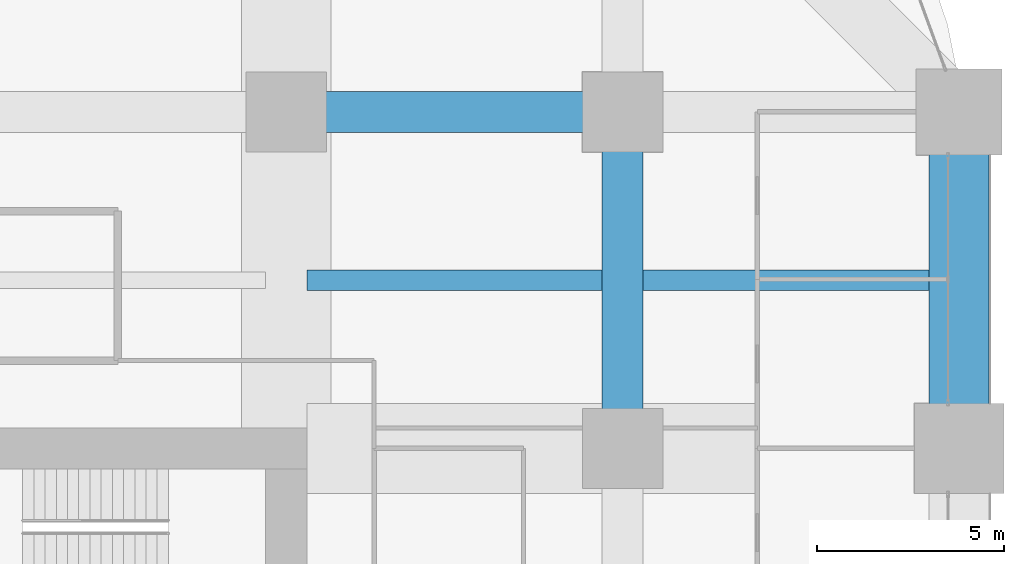
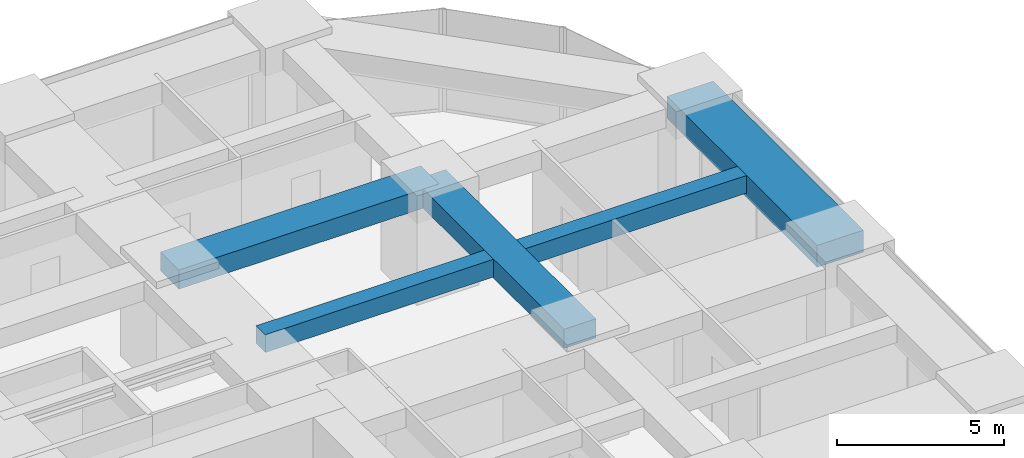
# One storey, part 32 of 45: 5 beams.
"""IFC4 building model written with IfcOpenShell, lengths in metres."""

import ifcopenshell
import ifcopenshell.guid

model = None  # the IFC model being written
_history = None  # IfcOwnerHistory: only IFC2X3 demands one
_inside = {}  # id of a spatial element -> (the spatial element, [elements in it])
_under = {}  # id of a project, library or spatial element -> (it, [spatial elements below it])
_declared = {}  # id of a project -> (the project, [libraries it declares])
_typed = {}  # id of a type object -> (the type object, [elements of that type])
_made_of = {}  # id of a material, layer set ... -> (it, [elements and type objects made of it])


def new_model(schema):
    """Start an empty IFC model of exactly this schema.

    Asked for "IFC4X3", IfcOpenShell would pick the latest addendum, in which some entities
    have other attributes; the version numbers below select the first issue.
    IFC2X3 requires an IfcOwnerHistory on every rooted entity: one is made here for all.
    """
    global model, _history
    if schema == "IFC4X3":
        model = ifcopenshell.file(schema_version=(4, 3, 0, 0))
    else:
        model = ifcopenshell.file(schema=schema)
    _inside.clear()
    _under.clear()
    _declared.clear()
    _typed.clear()
    _made_of.clear()
    _history = None
    if model.schema == "IFC2X3":
        org = make("IfcOrganization", Name="unknown")
        user = make(
            "IfcPersonAndOrganization",
            ThePerson=make("IfcPerson", FamilyName="unknown"),
            TheOrganization=org,
        )
        app = make(
            "IfcApplication",
            ApplicationDeveloper=org,
            Version="unknown",
            ApplicationFullName="unknown",
            ApplicationIdentifier="unknown",
        )
        _history = make(
            "IfcOwnerHistory",
            OwningUser=user,
            OwningApplication=app,
            ChangeAction="ADDED",
            CreationDate=0,
        )
    return model


def make(cls, **values):
    """One entity of the class cls with the attributes given. An attribute that is None is left unset."""
    return model.create_entity(
        cls, **{name: value for name, value in values.items() if value is not None}
    )


def rooted(cls, **values):
    """An entity with a GlobalId (a new one), such as an element, a storey or a relation."""
    return make(cls, GlobalId=ifcopenshell.guid.new(), OwnerHistory=_history, **values)


def si_unit(unit_type, name, prefix=None):
    """IfcSIUnit, for example si_unit("LENGTHUNIT", "METRE", prefix="MILLI")."""
    return make("IfcSIUnit", UnitType=unit_type, Prefix=prefix, Name=name)


def assignment(units):
    """IfcUnitAssignment: the units of a project."""
    return None if units is None else make("IfcUnitAssignment", Units=units)


def point(xyz):
    """IfcCartesianPoint."""
    return None if xyz is None else make("IfcCartesianPoint", Coordinates=xyz)


def direction(xyz):
    """IfcDirection."""
    return None if xyz is None else make("IfcDirection", DirectionRatios=xyz)


def frame(location, z_axis=None, x_axis=None):
    """IfcAxis2Placement3D, a coordinate frame: its origin and axes. An axis left out is left unset."""
    return make(
        "IfcAxis2Placement3D",
        Location=point(location),
        Axis=direction(z_axis),
        RefDirection=direction(x_axis),
    )


def frame_2d(location, x_axis=None):
    """IfcAxis2Placement2D, a coordinate frame in the plane: its origin and x axis."""
    return make(
        "IfcAxis2Placement2D", Location=point(location), RefDirection=direction(x_axis)
    )


def origin():
    """The frame at (0, 0, 0) with its axes left unset."""
    return frame((0.0, 0.0, 0.0))


def origin_2d():
    """The frame at (0, 0) in the plane with its x axis left unset."""
    return frame_2d((0.0, 0.0))


def place(relative_to, where):
    """IfcLocalPlacement: puts the frame where relative to a parent placement (None: the world)."""
    return make(
        "IfcLocalPlacement", PlacementRelTo=relative_to, RelativePlacement=where
    )


def context(
    kind, dimensions, precision=None, world=None, true_north=None, identifier=None
):
    """IfcGeometricRepresentationContext, for example the 3D "Model" context."""
    return make(
        "IfcGeometricRepresentationContext",
        ContextIdentifier=identifier,
        ContextType=kind,
        CoordinateSpaceDimension=dimensions,
        Precision=precision,
        WorldCoordinateSystem=world,
        TrueNorth=true_north,
    )


def subcontext(parent, identifier, kind, view, scale=None):
    """IfcGeometricRepresentationSubContext, for example "Body" below "Model"."""
    return make(
        "IfcGeometricRepresentationSubContext",
        ContextIdentifier=identifier,
        ContextType=kind,
        ParentContext=parent,
        TargetScale=scale,
        TargetView=view,
    )


def project(units=None, contexts=None):
    """IfcProject with its units and contexts."""
    return rooted(
        "IfcProject",
        Name="project",
        RepresentationContexts=contexts,
        UnitsInContext=assignment(units),
    )


def spatial(cls, under=None, at=None, **own):
    """A site, building, storey or space (cls), placed at a placement, below another one or the project."""
    s = rooted(cls, ObjectPlacement=at, **own)
    if under is not None:
        _under.setdefault(under.id(), (under, []))[1].append(s)
    return s


def profile(cls, at=None, kind="AREA", **sizes):
    """A parametric profile (cls). Its sizes go by their IFC names, for example OverallWidth=200.0."""
    return make(cls, ProfileType=kind, Position=at, **sizes)


def rectangle(**sizes):
    """IfcRectangleProfileDef."""
    return profile("IfcRectangleProfileDef", **sizes)


def extrude(swept, where, along, depth):
    """IfcExtrudedAreaSolid: the profile swept, set in the frame where, extruded along a direction by depth."""
    return make(
        "IfcExtrudedAreaSolid",
        SweptArea=swept,
        Position=where,
        ExtrudedDirection=direction(along),
        Depth=depth,
    )


def shape(context_of_items, identifier, shape_type, items):
    """IfcShapeRepresentation: the items that make up one representation, for example the "Body"."""
    return make(
        "IfcShapeRepresentation",
        ContextOfItems=context_of_items,
        RepresentationIdentifier=identifier,
        RepresentationType=shape_type,
        Items=items,
    )


def material(Name=None, Category=None):
    """IfcMaterial."""
    return make("IfcMaterial", Name=Name, Category=Category)


def material_profile(
    of_material, cross_section, Name=None, Category=None, Priority=None
):
    """IfcMaterialProfile: a cross section and its material."""
    return make(
        "IfcMaterialProfile",
        Name=Name,
        Material=of_material,
        Profile=cross_section,
        Priority=Priority,
        Category=Category,
    )


def profile_set(profiles, Name=None, composite=None):
    """IfcMaterialProfileSet."""
    return make(
        "IfcMaterialProfileSet",
        Name=Name,
        MaterialProfiles=profiles,
        CompositeProfile=composite,
    )


def made_of(thing, what):
    """Note that an element or type object is made of a material, layer set ...; save() writes the relation."""
    if what is not None:
        _made_of.setdefault(what.id(), (what, []))[1].append(thing)
    return thing


def type_object(cls, material=None, **own):
    """A type object (cls), such as IfcWallType, which elements share."""
    return made_of(rooted(cls, **own), material)


def element(
    cls,
    number,
    at=None,
    inside=None,
    cuts=None,
    type_object=None,
    material=None,
    context=None,
    identifier="Body",
    shape_type=None,
    held_by="IfcProductDefinitionShape",
    body=None,
    shapes=None,
    **own,
):
    """One element of the class cls, such as IfcWall. Its Tag is "e" and its number.

    at: its placement. inside: the storey or other place that contains it. cuts: it is an
    opening in that element (IfcRelVoidsElement). A single representation is given by context,
    identifier, shape_type and body (its items); several are given by shapes. held_by: the class
    of the entity that holds the representations. save() writes the other relations.
    """
    e = rooted(cls, Tag="e%d" % number, ObjectPlacement=at, **own)
    if body is not None:
        shapes = [shape(context, identifier, shape_type, body)]
    if shapes is not None:
        e.Representation = make(held_by, Representations=shapes)
    if inside is not None:
        _inside.setdefault(inside.id(), (inside, []))[1].append(e)
    if cuts is not None:
        rooted(
            "IfcRelVoidsElement", RelatingBuildingElement=cuts, RelatedOpeningElement=e
        )
    if type_object is not None:
        _typed.setdefault(type_object.id(), (type_object, []))[1].append(e)
    return made_of(e, material)


def aggregate(whole, parts):
    """IfcRelAggregates: a whole, such as a stair, and the parts it consists of."""
    return rooted("IfcRelAggregates", RelatingObject=whole, RelatedObjects=parts)


def save(model, path):
    """Write the relations noted so far, then the file.

    IfcRelAggregates (storeys below a building ...), IfcRelContainedInSpatialStructure (elements
    in a storey), IfcRelDefinesByType, IfcRelAssociatesMaterial and IfcRelDeclares: one each for
    every whole, place, type object, material and project.
    """
    for whole, parts in _under.values():
        aggregate(whole, parts)
    for where, things in _inside.values():
        rooted(
            "IfcRelContainedInSpatialStructure",
            RelatedElements=things,
            RelatingStructure=where,
        )
    for kind, things in _typed.values():
        rooted("IfcRelDefinesByType", RelatedObjects=things, RelatingType=kind)
    for what, things in _made_of.values():
        rooted("IfcRelAssociatesMaterial", RelatedObjects=things, RelatingMaterial=what)
    for by, libraries in _declared.values():
        rooted("IfcRelDeclares", RelatingContext=by, RelatedDefinitions=libraries)
    model.write(path)


model = new_model("IFC4")

# Units and contexts
model_context = context("Model", 3, precision=1e-05, world=origin(), true_north=direction((0.0, 1.0)))
body_context = subcontext(model_context, "Body", "Model", "MODEL_VIEW")
ifc_project = project(units=[si_unit("LENGTHUNIT", "METRE"), si_unit("AREAUNIT", "SQUARE_METRE"), si_unit("VOLUMEUNIT", "CUBIC_METRE"), si_unit("PLANEANGLEUNIT", "RADIAN"), si_unit("MASSUNIT", "GRAM", prefix="KILO")], contexts=[model_context])

# Site, building, storey
site_placement = place(None, origin())
site = spatial("IfcSite", under=ifc_project, at=site_placement, CompositionType="ELEMENT")
building_placement = place(site_placement, origin())
building = spatial("IfcBuilding", under=site, at=building_placement, Name="Zorevar Civic Tower", CompositionType="ELEMENT")
storey_placement = place(building_placement, frame((0.0, 0.0, 71.800048828125)))
storey = spatial("IfcBuildingStorey", under=building, at=storey_placement, Name="L17", CompositionType="ELEMENT", Elevation=71.800048828125)

# Beams
ifc_material_1 = material(Name="Concrete C50/60", Category="concrete")
ifc_material_profile_1 = material_profile(ifc_material_1, rectangle(XDim=1.10009765625, YDim=0.699951171875, at=origin_2d()), Name="RC 1100x700")
ifc_profile_set_1 = profile_set([ifc_material_profile_1], Name="Concrete C50/60")
beam_type_1 = type_object("IfcBeamType", Name="Beam RC 1100x700", PredefinedType="BEAM", material=ifc_profile_set_1)
for number, where, z_axis, x_axis, name in (
    (1, (45.0, 45.0, 3.39990234375), (1.0, 0.0, 0.0), (0.0, 1.0, 0.0), "Girder L18"),
    (2, (54.0, 36.0, 3.39990234375), (0.0, 1.0, 0.0), (-1.0, 0.0, 0.0), "Girder L18"),
):
    element("IfcBeam", number, at=place(storey_placement, frame(where, z_axis=z_axis, x_axis=x_axis)), inside=storey, type_object=beam_type_1, Name=name, PredefinedType="BEAM", context=body_context, shape_type="SweptSolid", body=[
        extrude(rectangle(XDim=1.10009765625, YDim=0.699951171875, at=origin_2d()), origin(), (0.0, 0.0, 1.0), 9.0),
    ])
ifc_material_2 = material(Name="Concrete C50/60", Category="concrete")
ifc_material_profile_2 = material_profile(ifc_material_2, rectangle(XDim=0.550048828125, YDim=0.64990234375, at=origin_2d()), Name="RC 550x650")
ifc_profile_set_2 = profile_set([ifc_material_profile_2], Name="Concrete C50/60")
beam_type_2 = type_object("IfcBeamType", Name="Beam RC 550x650", PredefinedType="BEAM", material=ifc_profile_set_2)
beam_1_placement = place(storey_placement, frame((45.550048828125, 40.5, 3.425048828125), z_axis=(1.0, 0.0, 0.0), x_axis=(0.0, 1.0, 0.0)))
element("IfcBeam", 3, at=beam_1_placement, inside=storey, type_object=beam_type_2, Name="Secondary beam L18", PredefinedType="BEAM", context=body_context, shape_type="SweptSolid", body=[
    extrude(rectangle(XDim=0.550048828125, YDim=0.64990234375, at=origin_2d()), origin(), (0.0, 0.0, 1.0), 7.89990234375),
])
beam_2_placement = place(storey_placement, frame((54.550048828125, 40.5, 3.425048828125), z_axis=(1.0, 0.0, 0.0), x_axis=(0.0, 1.0, 0.0)))
element("IfcBeam", 4, at=beam_2_placement, inside=storey, type_object=beam_type_2, Name="Secondary beam L18", PredefinedType="BEAM", context=body_context, shape_type="SweptSolid", body=[
    extrude(rectangle(XDim=0.550048828125, YDim=0.64990234375, at=origin_2d()), origin(), (0.0, 0.0, 1.0), 7.64990234375),
])
ifc_material_3 = material(Name="Concrete C50/60", Category="concrete")
ifc_material_profile_3 = material_profile(ifc_material_3, rectangle(XDim=1.60009765625, YDim=0.800048828125, at=origin_2d()), Name="RC 1600x800")
ifc_profile_set_3 = profile_set([ifc_material_profile_3], Name="Concrete C50/60")
beam_type_3 = type_object("IfcBeamType", Name="Edge beam RC 1600x800", PredefinedType="SPANDREL", material=ifc_profile_set_3)
beam_3_placement = place(storey_placement, frame((63.0, 36.0, 3.349853515625), z_axis=(0.0, 1.0, 0.0), x_axis=(-1.0, 0.0, 0.0)))
element("IfcBeam", 5, at=beam_3_placement, inside=storey, type_object=beam_type_3, Name="Edge beam L18", PredefinedType="SPANDREL", context=body_context, shape_type="SweptSolid", body=[
    extrude(rectangle(XDim=1.60009765625, YDim=0.800048828125, at=origin_2d()), origin(), (0.0, 0.0, 1.0), 9.0),
])

save(model, "model.ifc")
